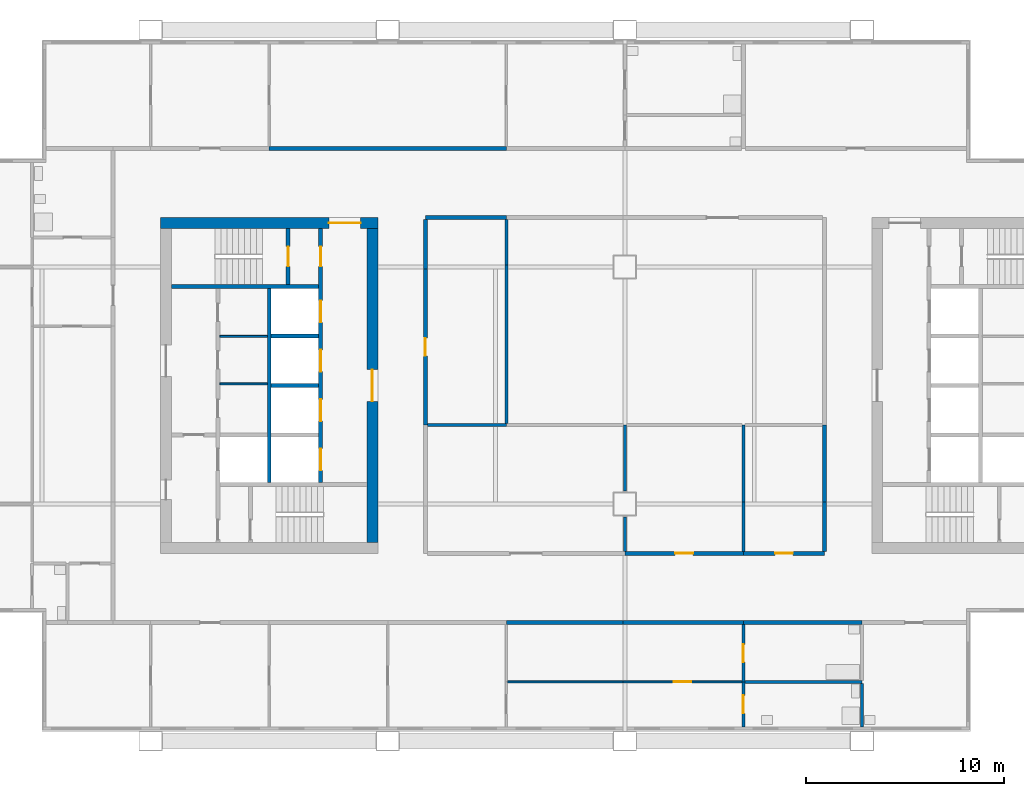
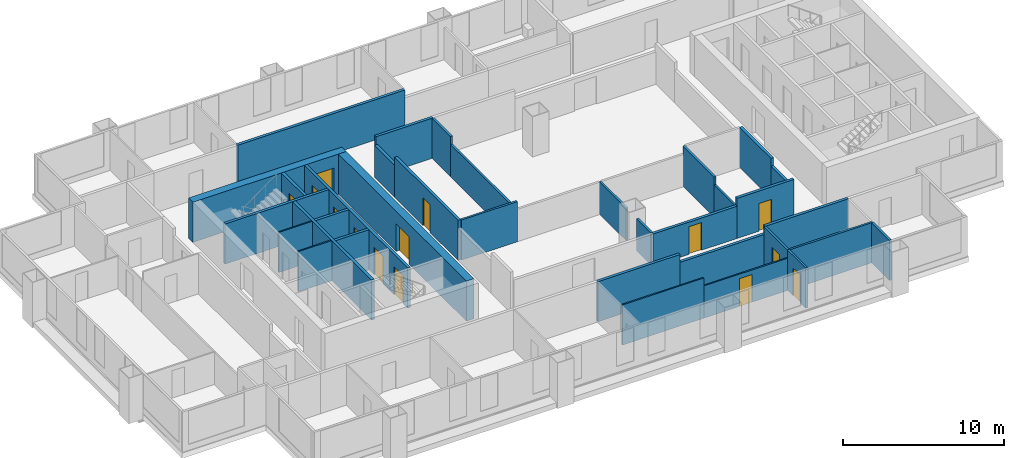
# One storey, part 4 of 9: 34 walls, 14 doors, 14 openings.
"""IFC4 building model written with IfcOpenShell, lengths in metres."""

from ifc_helpers import new_model, si_unit, direction, frame, frame_2d, origin, place, context, subcontext, project, spatial, rectangle, extrude, material, layer, layer_set, type_object, element, fill, save


model = new_model("IFC4")

# Units and contexts
model_context = context("Model", 3, precision=1e-05, world=origin(), true_north=direction((0.0, 1.0)))
body_context = subcontext(model_context, "Body", "Model", "MODEL_VIEW")
ifc_project = project(units=[si_unit("LENGTHUNIT", "METRE"), si_unit("AREAUNIT", "SQUARE_METRE"), si_unit("VOLUMEUNIT", "CUBIC_METRE"), si_unit("PLANEANGLEUNIT", "RADIAN"), si_unit("MASSUNIT", "GRAM", prefix="KILO")], contexts=[model_context])

# Site, building, storey
site_placement = place(None, origin())
site = spatial("IfcSite", under=ifc_project, at=site_placement, CompositionType="ELEMENT")
building_placement = place(site_placement, origin())
building = spatial("IfcBuilding", under=site, at=building_placement, Name="Kitamizu Gate Tower and Museum", CompositionType="ELEMENT")
storey_placement = place(building_placement, frame((0.0, 0.0, 196.199951171875)))
storey = spatial("IfcBuildingStorey", under=building, at=storey_placement, Name="L52", CompositionType="ELEMENT", Elevation=196.199951171875)

# Wall, opening, door
ifc_material_1 = material(Name="Concrete Fc42", Category="concrete")
ifc_layer_1 = layer(ifc_material_1, 0.550048828125)
ifc_layer_set_1 = layer_set([ifc_layer_1], Name="Concrete Fc42")
wall_type_1 = type_object("IfcWallType", Name="Core wall 550", PredefinedType="SHEAR", material=ifc_layer_set_1)
wall_1_placement = place(storey_placement, frame((12.5, 38.22509765625, 0.0), z_axis=(0.0, 0.0, 1.0), x_axis=(1.0, 0.0, 0.0)))
wall_1 = element("IfcWall", 1, at=wall_1_placement, inside=storey, type_object=wall_type_1, Name="Core wall WN", PredefinedType="SHEAR", context=body_context, shape_type="SweptSolid", body=[
    extrude(rectangle(XDim=11.0, YDim=0.550048828125, at=frame_2d((5.5, 0.0))), origin(), (0.0, 0.0, 1.0), 3.050048828125),
])
opening_1_placement = place(wall_1_placement, frame((8.52490234375, 0.0, 0.0)))
opening_1 = element("IfcOpeningElement", 2, at=opening_1_placement, cuts=wall_1, Name="Opening L52-037", PredefinedType="OPENING", context=body_context, shape_type="SweptSolid", body=[
    extrude(rectangle(XDim=1.60009765625, YDim=2.10009765625, at=frame_2d((0.800048828125, 1.050048828125))), frame((0.0, 0.28515625, 0.0), z_axis=(0.0, -1.0, 0.0), x_axis=(1.0, 0.0, 0.0)), (0.0, 0.0, 1.0), 0.570068359375),
])
ifc_material_2 = material(Name="Timber door set", Category="wood")
door_type_1 = type_object("IfcDoorType", Name="Entrance door 1600", OperationType="DOUBLE_DOOR_SINGLE_SWING", PredefinedType="DOOR", material=ifc_material_2)
door_1_placement = place(opening_1_placement, origin())
door_1 = element("IfcDoor", 3, at=door_1_placement, inside=storey, type_object=door_type_1, Name="Lobby door L52-037", OperationType="DOUBLE_DOOR_SINGLE_SWING", OverallHeight=2.10009765625, OverallWidth=1.60009765625, PredefinedType="DOOR", context=body_context, shape_type="SweptSolid", body=[
    extrude(rectangle(XDim=1.60009765625, YDim=2.10009765625, at=frame_2d((0.800048828125, 1.050048828125))), frame((0.0, 0.02490234375, 0.0), z_axis=(0.0, -1.0, 0.0), x_axis=(1.0, 0.0, 0.0)), (0.0, 0.0, 1.0), 0.050048828125),
])
fill(opening_1, door_1)

wall_2_placement = place(storey_placement, frame((23.22509765625, 22.050048828125, 0.0), z_axis=(0.0, 0.0, 1.0), x_axis=(0.0, 1.0, 0.0)))
wall_2 = element("IfcWall", 4, at=wall_2_placement, inside=storey, type_object=wall_type_1, Name="Core wall WARC", PredefinedType="SHEAR", context=body_context, shape_type="SweptSolid", body=[
    extrude(rectangle(XDim=15.89990234375, YDim=0.550048828125, at=frame_2d((7.949951171875, 0.0))), origin(), (0.0, 0.0, 1.0), 3.050048828125),
])
opening_2_placement = place(wall_2_placement, frame((7.14990234375, 0.0, 0.0)))
opening_2 = element("IfcOpeningElement", 5, at=opening_2_placement, cuts=wall_2, Name="Opening L52-038", PredefinedType="OPENING", context=body_context, shape_type="SweptSolid", body=[
    extrude(rectangle(XDim=1.60009765625, YDim=2.10009765625, at=frame_2d((0.800048828125, 1.050048828125))), frame((0.0, 0.28515625, 0.0), z_axis=(0.0, -1.0, 0.0), x_axis=(1.0, 0.0, 0.0)), (0.0, 0.0, 1.0), 0.570068359375),
])
door_2_placement = place(opening_2_placement, origin())
door_2 = element("IfcDoor", 6, at=door_2_placement, inside=storey, type_object=door_type_1, Name="Lobby door L52-038", OperationType="DOUBLE_DOOR_SINGLE_SWING", OverallHeight=2.10009765625, OverallWidth=1.60009765625, PredefinedType="DOOR", context=body_context, shape_type="SweptSolid", body=[
    extrude(rectangle(XDim=1.60009765625, YDim=2.10009765625, at=frame_2d((0.800048828125, 1.050048828125))), frame((0.0, 0.02490234375, 0.0), z_axis=(0.0, -1.0, 0.0), x_axis=(1.0, 0.0, 0.0)), (0.0, 0.0, 1.0), 0.050048828125),
])
fill(opening_2, door_2)

# Walls
ifc_material_3 = material(Name="Gypsum board on galvanised stud")
ifc_layer_2 = layer(ifc_material_3, 0.10009765625)
ifc_layer_set_2 = layer_set([ifc_layer_2], Name="Gypsum board on galvanised stud")
wall_type_2 = type_object("IfcWallType", Name="Partition 100", PredefinedType="PARTITIONING", material=ifc_layer_set_2)
for number, where, z_axis, x_axis, name in (
    (7, (15.5, 30.08203125, 0.0), (0.0, 0.0, 1.0), (1.0, 0.0, 0.0), "Partition WPF1"),
    (8, (15.5, 32.490966796875, 0.0), (0.0, 0.0, 1.0), (1.0, 0.0, 0.0), "Partition WPF2"),
):
    element("IfcWall", number, at=place(storey_placement, frame(where, z_axis=z_axis, x_axis=x_axis)), inside=storey, type_object=wall_type_2, Name=name, PredefinedType="PARTITIONING", context=body_context, shape_type="SweptSolid", body=[
        extrude(rectangle(XDim=2.39990234375, YDim=0.10009765625, at=frame_2d((1.199951171875, 0.0))), origin(), (0.0, 0.0, 1.0), 3.050048828125),
    ])

# Wall, opening, door
ifc_material_4 = material(Name="Gypsum board on galvanised stud")
ifc_layer_3 = layer(ifc_material_4, 0.10009765625)
ifc_layer_set_3 = layer_set([ifc_layer_3], Name="Gypsum board on galvanised stud")
wall_type_3 = type_object("IfcWallType", Name="Partition 100 NOT RATED", PredefinedType="PARTITIONING", material=ifc_layer_set_3)
wall_3_placement = place(storey_placement, frame((41.925048828125, 15.0, 0.0), z_axis=(0.0, 0.0, 1.0), x_axis=(-1.0, 0.0, 0.0)))
wall_3 = element("IfcWall", 9, at=wall_3_placement, inside=storey, type_object=wall_type_3, Name="Partition L52-012", PredefinedType="PARTITIONING", context=body_context, shape_type="SweptSolid", body=[
    extrude(rectangle(XDim=6.025146484375, YDim=0.10009765625, at=frame_2d((3.0126953125, 0.0))), origin(), (0.0, 0.0, 1.0), 2.449951171875),
])
opening_3_placement = place(wall_3_placement, frame((2.5625, 0.0, 0.0)))
opening_3 = element("IfcOpeningElement", 10, at=opening_3_placement, cuts=wall_3, Name="Opening L52-006", PredefinedType="OPENING", context=body_context, shape_type="SweptSolid", body=[
    extrude(rectangle(XDim=0.89990234375, YDim=2.10009765625, at=frame_2d((0.449951171875, 1.050048828125))), frame((0.0, 0.06005859375, 0.0), z_axis=(0.0, -1.0, 0.0), x_axis=(1.0, 0.0, 0.0)), (0.0, 0.0, 1.0), 0.1201171875),
])
ifc_material_5 = material(Name="Timber door set", Category="wood")
door_type_2 = type_object("IfcDoorType", Name="Room door 900", OperationType="NOTDEFINED", PredefinedType="DOOR", material=ifc_material_5)
door_3_placement = place(opening_3_placement, origin())
door_3 = element("IfcDoor", 11, at=door_3_placement, inside=storey, type_object=door_type_2, Name="Door L52-006", OperationType="SINGLE_SWING_LEFT", OverallHeight=2.10009765625, OverallWidth=0.89990234375, PredefinedType="DOOR", context=body_context, shape_type="SweptSolid", body=[
    extrude(rectangle(XDim=0.89990234375, YDim=2.10009765625, at=frame_2d((0.449951171875, 1.050048828125))), frame((0.0, 0.02490234375, 0.0), z_axis=(0.0, -1.0, 0.0), x_axis=(1.0, 0.0, 0.0)), (0.0, 0.0, 1.0), 0.050048828125),
])
fill(opening_3, door_3)

# Wall
wall_4_placement = place(storey_placement, frame((35.89990234375, 15.0, 0.0), z_axis=(0.0, 0.0, 1.0), x_axis=(-1.0, 0.0, 0.0)))
element("IfcWall", 12, at=wall_4_placement, inside=storey, type_object=wall_type_3, Name="Partition L52-013", PredefinedType="PARTITIONING", context=body_context, shape_type="SweptSolid", body=[
    extrude(rectangle(XDim=5.849853515625, YDim=0.10009765625, at=frame_2d((2.9248046875, 0.0))), origin(), (0.0, 0.0, 1.0), 3.050048828125),
])

# Wall, opening, door
ifc_material_6 = material(Name="Gypsum board on galvanised stud")
ifc_layer_4 = layer(ifc_material_6, 0.14990234375)
ifc_layer_set_4 = layer_set([ifc_layer_4], Name="Gypsum board on galvanised stud")
wall_type_4 = type_object("IfcWallType", Name="Partition 150", PredefinedType="PARTITIONING", material=ifc_layer_set_4)
wall_5_placement = place(storey_placement, frame((42.0, 12.719970703125, 0.0), z_axis=(0.0, 0.0, 1.0), x_axis=(0.0, 1.0, 0.0)))
wall_5 = element("IfcWall", 13, at=wall_5_placement, inside=storey, type_object=wall_type_4, Name="Partition L52-014", PredefinedType="PARTITIONING", context=body_context, shape_type="SweptSolid", body=[
    extrude(rectangle(XDim=2.280029296875, YDim=0.14990234375, at=frame_2d((1.14013671875, 0.0))), origin(), (0.0, 0.0, 1.0), 3.050048828125),
])
opening_4_placement = place(wall_5_placement, frame((0.68994140625, 0.0, 0.0)))
opening_4 = element("IfcOpeningElement", 14, at=opening_4_placement, cuts=wall_5, Name="Opening L52-007", PredefinedType="OPENING", context=body_context, shape_type="SweptSolid", body=[
    extrude(rectangle(XDim=0.89990234375, YDim=2.10009765625, at=frame_2d((0.449951171875, 1.050048828125))), frame((0.0, 0.0849609375, 0.0), z_axis=(0.0, -1.0, 0.0), x_axis=(1.0, 0.0, 0.0)), (0.0, 0.0, 1.0), 0.169921875),
])
ifc_material_7 = material(Name="Timber door set", Category="wood")
door_type_3 = type_object("IfcDoorType", Name="Bathroom door 900", OperationType="NOTDEFINED", PredefinedType="DOOR", material=ifc_material_7)
door_4_placement = place(opening_4_placement, frame((0.89990234375, 0.0, 0.0), x_axis=(-1.0, 0.0, 0.0)))
door_4 = element("IfcDoor", 15, at=door_4_placement, inside=storey, type_object=door_type_3, Name="Bathroom door L52-007", OperationType="SINGLE_SWING_LEFT", OverallHeight=2.10009765625, OverallWidth=0.89990234375, PredefinedType="DOOR", context=body_context, shape_type="SweptSolid", body=[
    extrude(rectangle(XDim=0.89990234375, YDim=2.10009765625, at=frame_2d((0.449951171875, 1.050048828125))), frame((0.0, 0.02490234375, 0.0), z_axis=(0.0, -1.0, 0.0), x_axis=(1.0, 0.0, 0.0)), (0.0, 0.0, 1.0), 0.050048828125),
])
fill(opening_4, door_4)

wall_6_placement = place(storey_placement, frame((42.0, 15.0, 0.0), z_axis=(0.0, 0.0, 1.0), x_axis=(0.0, 1.0, 0.0)))
wall_6 = element("IfcWall", 16, at=wall_6_placement, inside=storey, type_object=wall_type_4, Name="Partition L52-015", PredefinedType="PARTITIONING", context=body_context, shape_type="SweptSolid", body=[
    extrude(rectangle(XDim=2.89990234375, YDim=0.14990234375, at=frame_2d((1.449951171875, 0.0))), origin(), (0.0, 0.0, 1.0), 3.050048828125),
])
opening_5_placement = place(wall_6_placement, frame((1.0, 0.0, 0.0)))
opening_5 = element("IfcOpeningElement", 17, at=opening_5_placement, cuts=wall_6, Name="Opening L52-008", PredefinedType="OPENING", context=body_context, shape_type="SweptSolid", body=[
    extrude(rectangle(XDim=0.89990234375, YDim=2.10009765625, at=frame_2d((0.449951171875, 1.050048828125))), frame((0.0, 0.0849609375, 0.0), z_axis=(0.0, -1.0, 0.0), x_axis=(1.0, 0.0, 0.0)), (0.0, 0.0, 1.0), 0.169921875),
])
door_5_placement = place(opening_5_placement, frame((0.89990234375, 0.0, 0.0), x_axis=(-1.0, 0.0, 0.0)))
door_5 = element("IfcDoor", 18, at=door_5_placement, inside=storey, type_object=door_type_3, Name="Bathroom door L52-008", OperationType="SINGLE_SWING_RIGHT", OverallHeight=2.10009765625, OverallWidth=0.89990234375, PredefinedType="DOOR", context=body_context, shape_type="SweptSolid", body=[
    extrude(rectangle(XDim=0.89990234375, YDim=2.10009765625, at=frame_2d((0.449951171875, 1.050048828125))), frame((0.0, 0.02490234375, 0.0), z_axis=(0.0, -1.0, 0.0), x_axis=(1.0, 0.0, 0.0)), (0.0, 0.0, 1.0), 0.050048828125),
])
fill(opening_5, door_5)

# Walls
wall_7_placement = place(storey_placement, frame((48.0, 15.0, 0.0), z_axis=(0.0, 0.0, 1.0), x_axis=(-1.0, 0.0, 0.0)))
element("IfcWall", 19, at=wall_7_placement, inside=storey, type_object=wall_type_4, Name="Partition L52-018", PredefinedType="PARTITIONING", context=body_context, shape_type="SweptSolid", body=[
    extrude(rectangle(XDim=5.925048828125, YDim=0.14990234375, at=frame_2d((2.96240234375, 0.0))), origin(), (0.0, 0.0, 1.0), 3.050048828125),
])
wall_8_placement = place(storey_placement, frame((48.0, 12.719970703125, 0.0), z_axis=(0.0, 0.0, 1.0), x_axis=(0.0, 1.0, 0.0)))
element("IfcWall", 20, at=wall_8_placement, inside=storey, type_object=wall_type_4, Name="Partition L52-019", PredefinedType="PARTITIONING", context=body_context, shape_type="SweptSolid", body=[
    extrude(rectangle(XDim=2.205078125, YDim=0.14990234375, at=frame_2d((1.1025390625, 0.0))), origin(), (0.0, 0.0, 1.0), 3.050048828125),
])
wall_9_placement = place(storey_placement, frame((36.0, 21.60009765625, 0.0), z_axis=(0.0, 0.0, 1.0), x_axis=(0.0, 1.0, 0.0)))
element("IfcWall", 21, at=wall_9_placement, inside=storey, type_object=wall_type_4, Name="Partition L52-071", PredefinedType="PARTITIONING", context=body_context, shape_type="SweptSolid", body=[
    extrude(rectangle(XDim=1.75, YDim=0.14990234375, at=frame_2d((0.875, 0.0))), origin(), (0.0, 0.0, 1.0), 2.449951171875),
])
wall_10_placement = place(storey_placement, frame((36.0, 24.64990234375, 0.0), z_axis=(0.0, 0.0, 1.0), x_axis=(0.0, 1.0, 0.0)))
element("IfcWall", 22, at=wall_10_placement, inside=storey, type_object=wall_type_4, Name="Partition L52-072", PredefinedType="PARTITIONING", context=body_context, shape_type="SweptSolid", body=[
    extrude(rectangle(XDim=3.35009765625, YDim=0.14990234375, at=frame_2d((1.675048828125, 0.0))), origin(), (0.0, 0.0, 1.0), 2.449951171875),
])
wall_11_placement = place(storey_placement, frame((30.0, 28.0, 0.0), z_axis=(0.0, 0.0, 1.0), x_axis=(-1.0, 0.0, 0.0)))
element("IfcWall", 23, at=wall_11_placement, inside=storey, type_object=wall_type_4, Name="Partition L52-073", PredefinedType="PARTITIONING", context=body_context, shape_type="SweptSolid", body=[
    extrude(rectangle(XDim=4.0, YDim=0.14990234375, at=frame_2d((2.0, 0.0))), origin(), (0.0, 0.0, 1.0), 3.050048828125),
])
wall_12_placement = place(storey_placement, frame((42.0, 21.60009765625, 0.0), z_axis=(0.0, 0.0, 1.0), x_axis=(0.0, 1.0, 0.0)))
element("IfcWall", 24, at=wall_12_placement, inside=storey, type_object=wall_type_4, Name="Partition L52-075", PredefinedType="PARTITIONING", context=body_context, shape_type="SweptSolid", body=[
    extrude(rectangle(XDim=2.5, YDim=0.14990234375, at=frame_2d((1.25, 0.0))), origin(), (0.0, 0.0, 1.0), 2.449951171875),
])
wall_13_placement = place(storey_placement, frame((42.0, 24.10009765625, 0.0), z_axis=(0.0, 0.0, 1.0), x_axis=(0.0, 1.0, 0.0)))
element("IfcWall", 25, at=wall_13_placement, inside=storey, type_object=wall_type_4, Name="Partition L52-076", PredefinedType="PARTITIONING", context=body_context, shape_type="SweptSolid", body=[
    extrude(rectangle(XDim=3.89990234375, YDim=0.14990234375, at=frame_2d((1.949951171875, 0.0))), origin(), (0.0, 0.0, 1.0), 3.050048828125),
])
wall_14_placement = place(storey_placement, frame((30.0, 28.074951171875, 0.0), z_axis=(0.0, 0.0, 1.0), x_axis=(0.0, 1.0, 0.0)))
element("IfcWall", 26, at=wall_14_placement, inside=storey, type_object=wall_type_4, Name="Partition L52-079", PredefinedType="PARTITIONING", context=body_context, shape_type="SweptSolid", body=[
    extrude(rectangle(XDim=8.025146484375, YDim=0.14990234375, at=frame_2d((4.0126953125, 0.0))), origin(), (0.0, 0.0, 1.0), 2.449951171875),
])
wall_15_placement = place(storey_placement, frame((30.0, 36.10009765625, 0.0), z_axis=(0.0, 0.0, 1.0), x_axis=(0.0, 1.0, 0.0)))
element("IfcWall", 27, at=wall_15_placement, inside=storey, type_object=wall_type_4, Name="Partition L52-080", PredefinedType="PARTITIONING", context=body_context, shape_type="SweptSolid", body=[
    extrude(rectangle(XDim=2.2998046875, YDim=0.14990234375, at=frame_2d((1.14990234375, 0.0))), origin(), (0.0, 0.0, 1.0), 3.050048828125),
])
ifc_material_8 = material(Name="Gypsum board on galvanised stud")
ifc_layer_5 = layer(ifc_material_8, 0.199951171875)
ifc_layer_set_5 = layer_set([ifc_layer_5], Name="Gypsum board on galvanised stud")
wall_type_5 = type_object("IfcWallType", Name="Partition 200", PredefinedType="PARTITIONING", material=ifc_layer_set_5)
wall_16_placement = place(storey_placement, frame((42.0, 18.0, 0.0), z_axis=(0.0, 0.0, 1.0), x_axis=(-1.0, 0.0, 0.0)))
element("IfcWall", 28, at=wall_16_placement, inside=storey, type_object=wall_type_5, Name="Partition L52-016", PredefinedType="PARTITIONING", context=body_context, shape_type="SweptSolid", body=[
    extrude(rectangle(XDim=6.10009765625, YDim=0.199951171875, at=frame_2d((3.050048828125, 0.0))), origin(), (0.0, 0.0, 1.0), 2.449951171875),
])
wall_17_placement = place(storey_placement, frame((35.89990234375, 18.0, 0.0), z_axis=(0.0, 0.0, 1.0), x_axis=(-1.0, 0.0, 0.0)))
element("IfcWall", 29, at=wall_17_placement, inside=storey, type_object=wall_type_5, Name="Partition L52-017", PredefinedType="PARTITIONING", context=body_context, shape_type="SweptSolid", body=[
    extrude(rectangle(XDim=5.89990234375, YDim=0.199951171875, at=frame_2d((2.949951171875, 0.0))), origin(), (0.0, 0.0, 1.0), 3.050048828125),
])
wall_18_placement = place(storey_placement, frame((48.0, 18.0, 0.0), z_axis=(0.0, 0.0, 1.0), x_axis=(-1.0, 0.0, 0.0)))
element("IfcWall", 30, at=wall_18_placement, inside=storey, type_object=wall_type_5, Name="Partition L52-021", PredefinedType="PARTITIONING", context=body_context, shape_type="SweptSolid", body=[
    extrude(rectangle(XDim=6.0, YDim=0.199951171875, at=frame_2d((3.0, 0.0))), origin(), (0.0, 0.0, 1.0), 3.050048828125),
])
wall_19_placement = place(storey_placement, frame((18.0, 42.0, 0.0), z_axis=(0.0, 0.0, 1.0), x_axis=(1.0, 0.0, 0.0)))
element("IfcWall", 31, at=wall_19_placement, inside=storey, type_object=wall_type_5, Name="Partition L52-029", PredefinedType="PARTITIONING", context=body_context, shape_type="SweptSolid", body=[
    extrude(rectangle(XDim=12.0, YDim=0.199951171875, at=frame_2d((6.0, 0.0))), origin(), (0.0, 0.0, 1.0), 3.050048828125),
])

# Wall, opening, door
wall_20_placement = place(storey_placement, frame((36.0, 21.5, 0.0), z_axis=(0.0, 0.0, 1.0), x_axis=(1.0, 0.0, 0.0)))
wall_20 = element("IfcWall", 32, at=wall_20_placement, inside=storey, type_object=wall_type_5, Name="Partition L52-060", PredefinedType="PARTITIONING", context=body_context, shape_type="SweptSolid", body=[
    extrude(rectangle(XDim=6.0, YDim=0.199951171875, at=frame_2d((3.0, 0.0))), origin(), (0.0, 0.0, 1.0), 2.449951171875),
])
opening_6_placement = place(wall_20_placement, frame((2.550048828125, 0.0, 0.0)))
opening_6 = element("IfcOpeningElement", 33, at=opening_6_placement, cuts=wall_20, Name="Opening L52-026", PredefinedType="OPENING", context=body_context, shape_type="SweptSolid", body=[
    extrude(rectangle(XDim=0.89990234375, YDim=2.10009765625, at=frame_2d((0.449951171875, 1.050048828125))), frame((0.0, 0.10986328125, 0.0), z_axis=(0.0, -1.0, 0.0), x_axis=(1.0, 0.0, 0.0)), (0.0, 0.0, 1.0), 0.219970703125),
])
door_6_placement = place(opening_6_placement, origin())
door_6 = element("IfcDoor", 34, at=door_6_placement, inside=storey, type_object=door_type_2, Name="Door L52-026", OperationType="SINGLE_SWING_RIGHT", OverallHeight=2.10009765625, OverallWidth=0.89990234375, PredefinedType="DOOR", context=body_context, shape_type="SweptSolid", body=[
    extrude(rectangle(XDim=0.89990234375, YDim=2.10009765625, at=frame_2d((0.449951171875, 1.050048828125))), frame((0.0, 0.02490234375, 0.0), z_axis=(0.0, -1.0, 0.0), x_axis=(1.0, 0.0, 0.0)), (0.0, 0.0, 1.0), 0.050048828125),
])
fill(opening_6, door_6)

wall_21_placement = place(storey_placement, frame((42.0, 21.5, 0.0), z_axis=(0.0, 0.0, 1.0), x_axis=(1.0, 0.0, 0.0)))
wall_21 = element("IfcWall", 35, at=wall_21_placement, inside=storey, type_object=wall_type_5, Name="Partition L52-061", PredefinedType="PARTITIONING", context=body_context, shape_type="SweptSolid", body=[
    extrude(rectangle(XDim=4.10009765625, YDim=0.199951171875, at=frame_2d((2.050048828125, 0.0))), origin(), (0.0, 0.0, 1.0), 3.050048828125),
])
opening_7_placement = place(wall_21_placement, frame((1.60009765625, 0.0, 0.0)))
opening_7 = element("IfcOpeningElement", 36, at=opening_7_placement, cuts=wall_21, Name="Opening L52-027", PredefinedType="OPENING", context=body_context, shape_type="SweptSolid", body=[
    extrude(rectangle(XDim=0.89990234375, YDim=2.10009765625, at=frame_2d((0.449951171875, 1.050048828125))), frame((0.0, 0.10986328125, 0.0), z_axis=(0.0, -1.0, 0.0), x_axis=(1.0, 0.0, 0.0)), (0.0, 0.0, 1.0), 0.219970703125),
])
door_7_placement = place(opening_7_placement, origin())
door_7 = element("IfcDoor", 37, at=door_7_placement, inside=storey, type_object=door_type_2, Name="Door L52-027", OperationType="SINGLE_SWING_LEFT", OverallHeight=2.10009765625, OverallWidth=0.89990234375, PredefinedType="DOOR", context=body_context, shape_type="SweptSolid", body=[
    extrude(rectangle(XDim=0.89990234375, YDim=2.10009765625, at=frame_2d((0.449951171875, 1.050048828125))), frame((0.0, 0.02490234375, 0.0), z_axis=(0.0, -1.0, 0.0), x_axis=(1.0, 0.0, 0.0)), (0.0, 0.0, 1.0), 0.050048828125),
])
fill(opening_7, door_7)

# Walls
wall_22_placement = place(storey_placement, frame((46.10009765625, 21.60009765625, 0.0), z_axis=(0.0, 0.0, 1.0), x_axis=(0.0, 1.0, 0.0)))
element("IfcWall", 38, at=wall_22_placement, inside=storey, type_object=wall_type_5, Name="Partition L52-062", PredefinedType="PARTITIONING", context=body_context, shape_type="SweptSolid", body=[
    extrude(rectangle(XDim=2.5, YDim=0.199951171875, at=frame_2d((1.25, 0.0))), origin(), (0.0, 0.0, 1.0), 2.449951171875),
])
wall_23_placement = place(storey_placement, frame((46.10009765625, 24.10009765625, 0.0), z_axis=(0.0, 0.0, 1.0), x_axis=(0.0, 1.0, 0.0)))
element("IfcWall", 39, at=wall_23_placement, inside=storey, type_object=wall_type_5, Name="Partition L52-063", PredefinedType="PARTITIONING", context=body_context, shape_type="SweptSolid", body=[
    extrude(rectangle(XDim=3.89990234375, YDim=0.199951171875, at=frame_2d((1.949951171875, 0.0))), origin(), (0.0, 0.0, 1.0), 3.050048828125),
])
wall_24_placement = place(storey_placement, frame((30.0, 38.5, 0.0), z_axis=(0.0, 0.0, 1.0), x_axis=(-1.0, 0.0, 0.0)))
element("IfcWall", 40, at=wall_24_placement, inside=storey, type_object=wall_type_5, Name="Partition L52-064", PredefinedType="PARTITIONING", context=body_context, shape_type="SweptSolid", body=[
    extrude(rectangle(XDim=4.10009765625, YDim=0.199951171875, at=frame_2d((2.050048828125, 0.0))), origin(), (0.0, 0.0, 1.0), 3.050048828125),
])
wall_25_placement = place(storey_placement, frame((25.89990234375, 38.39990234375, 0.0), z_axis=(0.0, 0.0, 1.0), x_axis=(0.0, -1.0, 0.0)))
element("IfcWall", 41, at=wall_25_placement, inside=storey, type_object=wall_type_5, Name="Partition L52-065", PredefinedType="PARTITIONING", context=body_context, shape_type="SweptSolid", body=[
    extrude(rectangle(XDim=2.5, YDim=0.199951171875, at=frame_2d((1.25, 0.0))), origin(), (0.0, 0.0, 1.0), 2.449951171875),
])

# Wall, opening, door
wall_26_placement = place(storey_placement, frame((25.89990234375, 35.89990234375, 0.0), z_axis=(0.0, 0.0, 1.0), x_axis=(0.0, -1.0, 0.0)))
wall_26 = element("IfcWall", 42, at=wall_26_placement, inside=storey, type_object=wall_type_5, Name="Partition L52-066", PredefinedType="PARTITIONING", context=body_context, shape_type="SweptSolid", body=[
    extrude(rectangle(XDim=7.89990234375, YDim=0.199951171875, at=frame_2d((3.949951171875, 0.0))), origin(), (0.0, 0.0, 1.0), 3.050048828125),
])
opening_8_placement = place(wall_26_placement, frame((3.5, 0.0, 0.0)))
opening_8 = element("IfcOpeningElement", 43, at=opening_8_placement, cuts=wall_26, Name="Opening L52-028", PredefinedType="OPENING", context=body_context, shape_type="SweptSolid", body=[
    extrude(rectangle(XDim=0.89990234375, YDim=2.10009765625, at=frame_2d((0.449951171875, 1.050048828125))), frame((0.0, 0.10986328125, 0.0), z_axis=(0.0, -1.0, 0.0), x_axis=(1.0, 0.0, 0.0)), (0.0, 0.0, 1.0), 0.219970703125),
])
door_8_placement = place(opening_8_placement, origin())
door_8 = element("IfcDoor", 44, at=door_8_placement, inside=storey, type_object=door_type_2, Name="Door L52-028", OperationType="SINGLE_SWING_RIGHT", OverallHeight=2.10009765625, OverallWidth=0.89990234375, PredefinedType="DOOR", context=body_context, shape_type="SweptSolid", body=[
    extrude(rectangle(XDim=0.89990234375, YDim=2.10009765625, at=frame_2d((0.449951171875, 1.050048828125))), frame((0.0, 0.02490234375, 0.0), z_axis=(0.0, -1.0, 0.0), x_axis=(1.0, 0.0, 0.0)), (0.0, 0.0, 1.0), 0.050048828125),
])
fill(opening_8, door_8)

# Wall, openings, doors
ifc_material_9 = material(Name="Concrete Fc42", Category="concrete")
ifc_layer_6 = layer(ifc_material_9, 0.199951171875)
ifc_layer_set_6 = layer_set([ifc_layer_6], Name="Concrete Fc42")
wall_type_6 = type_object("IfcWallType", Name="Shaft wall 200", PredefinedType="SOLIDWALL", material=ifc_layer_set_6)
wall_27_placement = place(storey_placement, frame((20.60009765625, 25.10009765625, 0.0), z_axis=(0.0, 0.0, 1.0), x_axis=(0.0, 1.0, 0.0)))
wall_27 = element("IfcWall", 45, at=wall_27_placement, inside=storey, type_object=wall_type_6, Name="Shaft wall WEAST", PredefinedType="SOLIDWALL", context=body_context, shape_type="SweptSolid", body=[
    extrude(rectangle(XDim=12.849853515625, YDim=0.199951171875, at=frame_2d((6.4248046875, 0.0))), origin(), (0.0, 0.0, 1.0), 3.050048828125),
])
opening_9_placement = place(wall_27_placement, frame((0.60009765625, 0.0, 0.0)))
opening_9 = element("IfcOpeningElement", 46, at=opening_9_placement, cuts=wall_27, Name="Opening LD", PredefinedType="OPENING", context=body_context, shape_type="SweptSolid", body=[
    extrude(rectangle(XDim=1.10009765625, YDim=2.10009765625, at=frame_2d((0.550048828125, 1.050048828125))), frame((0.0, 0.10986328125, 0.0), z_axis=(0.0, -1.0, 0.0), x_axis=(1.0, 0.0, 0.0)), (0.0, 0.0, 1.0), 0.219970703125),
])
opening_10_placement = place(wall_27_placement, frame((3.10009765625, 0.0, 0.0)))
opening_10 = element("IfcOpeningElement", 47, at=opening_10_placement, cuts=wall_27, Name="Opening LD", PredefinedType="OPENING", context=body_context, shape_type="SweptSolid", body=[
    extrude(rectangle(XDim=1.10009765625, YDim=2.10009765625, at=frame_2d((0.550048828125, 1.050048828125))), frame((0.0, 0.10986328125, 0.0), z_axis=(0.0, -1.0, 0.0), x_axis=(1.0, 0.0, 0.0)), (0.0, 0.0, 1.0), 0.219970703125),
])
opening_11_placement = place(wall_27_placement, frame((5.60009765625, 0.0, 0.0)))
opening_11 = element("IfcOpeningElement", 48, at=opening_11_placement, cuts=wall_27, Name="Opening LD", PredefinedType="OPENING", context=body_context, shape_type="SweptSolid", body=[
    extrude(rectangle(XDim=1.10009765625, YDim=2.10009765625, at=frame_2d((0.550048828125, 1.050048828125))), frame((0.0, 0.10986328125, 0.0), z_axis=(0.0, -1.0, 0.0), x_axis=(1.0, 0.0, 0.0)), (0.0, 0.0, 1.0), 0.219970703125),
])
opening_12_placement = place(wall_27_placement, frame((8.10009765625, 0.0, 0.0)))
opening_12 = element("IfcOpeningElement", 49, at=opening_12_placement, cuts=wall_27, Name="Opening LD", PredefinedType="OPENING", context=body_context, shape_type="SweptSolid", body=[
    extrude(rectangle(XDim=1.10009765625, YDim=2.10009765625, at=frame_2d((0.550048828125, 1.050048828125))), frame((0.0, 0.10986328125, 0.0), z_axis=(0.0, -1.0, 0.0), x_axis=(1.0, 0.0, 0.0)), (0.0, 0.0, 1.0), 0.219970703125),
])
opening_13_placement = place(wall_27_placement, frame((10.925048828125, 0.0, 0.0)))
opening_13 = element("IfcOpeningElement", 50, at=opening_13_placement, cuts=wall_27, Name="Opening L52-032", PredefinedType="OPENING", context=body_context, shape_type="SweptSolid", body=[
    extrude(rectangle(XDim=1.0, YDim=2.10009765625, at=frame_2d((0.5, 1.050048828125))), frame((0.0, 0.10986328125, 0.0), z_axis=(0.0, -1.0, 0.0), x_axis=(1.0, 0.0, 0.0)), (0.0, 0.0, 1.0), 0.219970703125),
])
ifc_material_10 = material(Name="Hollow metal door set")
door_type_4 = type_object("IfcDoorType", Name="Fire door 1000", OperationType="NOTDEFINED", PredefinedType="DOOR", material=ifc_material_10)
door_9_placement = place(opening_13_placement, origin())
door_9 = element("IfcDoor", 51, at=door_9_placement, inside=storey, type_object=door_type_4, Name="Stair lobby door L52-032", OperationType="SINGLE_SWING_LEFT", OverallHeight=2.10009765625, OverallWidth=1.0, PredefinedType="DOOR", context=body_context, shape_type="SweptSolid", body=[
    extrude(rectangle(XDim=1.0, YDim=2.10009765625, at=frame_2d((0.5, 1.050048828125))), frame((0.0, 0.02490234375, 0.0), z_axis=(0.0, -1.0, 0.0), x_axis=(1.0, 0.0, 0.0)), (0.0, 0.0, 1.0), 0.050048828125),
])
fill(opening_13, door_9)
ifc_material_11 = material(Name="Hollow metal door set")
door_type_5 = type_object("IfcDoorType", Name="Landing door 1100", OperationType="SLIDING_TO_LEFT", PredefinedType="DOOR", material=ifc_material_11)
door_10_placement = place(opening_9_placement, origin())
door_10 = element("IfcDoor", 52, at=door_10_placement, inside=storey, type_object=door_type_5, Name="Landing door WSV1", OperationType="SLIDING_TO_LEFT", OverallHeight=2.10009765625, OverallWidth=1.10009765625, PredefinedType="DOOR", context=body_context, shape_type="SweptSolid", body=[
    extrude(rectangle(XDim=1.10009765625, YDim=2.10009765625, at=frame_2d((0.550048828125, 1.050048828125))), frame((0.0, 0.02490234375, 0.0), z_axis=(0.0, -1.0, 0.0), x_axis=(1.0, 0.0, 0.0)), (0.0, 0.0, 1.0), 0.050048828125),
])
fill(opening_9, door_10)
door_11_placement = place(opening_10_placement, origin())
door_11 = element("IfcDoor", 53, at=door_11_placement, inside=storey, type_object=door_type_5, Name="Landing door WH1", OperationType="SLIDING_TO_LEFT", OverallHeight=2.10009765625, OverallWidth=1.10009765625, PredefinedType="DOOR", context=body_context, shape_type="SweptSolid", body=[
    extrude(rectangle(XDim=1.10009765625, YDim=2.10009765625, at=frame_2d((0.550048828125, 1.050048828125))), frame((0.0, 0.02490234375, 0.0), z_axis=(0.0, -1.0, 0.0), x_axis=(1.0, 0.0, 0.0)), (0.0, 0.0, 1.0), 0.050048828125),
])
fill(opening_10, door_11)
door_12_placement = place(opening_11_placement, origin())
door_12 = element("IfcDoor", 54, at=door_12_placement, inside=storey, type_object=door_type_5, Name="Landing door WH2", OperationType="SLIDING_TO_LEFT", OverallHeight=2.10009765625, OverallWidth=1.10009765625, PredefinedType="DOOR", context=body_context, shape_type="SweptSolid", body=[
    extrude(rectangle(XDim=1.10009765625, YDim=2.10009765625, at=frame_2d((0.550048828125, 1.050048828125))), frame((0.0, 0.02490234375, 0.0), z_axis=(0.0, -1.0, 0.0), x_axis=(1.0, 0.0, 0.0)), (0.0, 0.0, 1.0), 0.050048828125),
])
fill(opening_11, door_12)
door_13_placement = place(opening_12_placement, origin())
door_13 = element("IfcDoor", 55, at=door_13_placement, inside=storey, type_object=door_type_5, Name="Landing door WH3", OperationType="SLIDING_TO_LEFT", OverallHeight=2.10009765625, OverallWidth=1.10009765625, PredefinedType="DOOR", context=body_context, shape_type="SweptSolid", body=[
    extrude(rectangle(XDim=1.10009765625, YDim=2.10009765625, at=frame_2d((0.550048828125, 1.050048828125))), frame((0.0, 0.02490234375, 0.0), z_axis=(0.0, -1.0, 0.0), x_axis=(1.0, 0.0, 0.0)), (0.0, 0.0, 1.0), 0.050048828125),
])
fill(opening_12, door_13)

# Walls
wall_28_placement = place(storey_placement, frame((18.0, 25.10009765625, 0.0), z_axis=(0.0, 0.0, 1.0), x_axis=(0.0, 1.0, 0.0)))
element("IfcWall", 56, at=wall_28_placement, inside=storey, type_object=wall_type_6, Name="Shaft wall WMID", PredefinedType="SOLIDWALL", context=body_context, shape_type="SweptSolid", body=[
    extrude(rectangle(XDim=9.7998046875, YDim=0.199951171875, at=frame_2d((4.89990234375, 0.0))), origin(), (0.0, 0.0, 1.0), 3.050048828125),
])
wall_29_placement = place(storey_placement, frame((13.050048828125, 35.0, 0.0), z_axis=(0.0, 0.0, 1.0), x_axis=(1.0, 0.0, 0.0)))
element("IfcWall", 57, at=wall_29_placement, inside=storey, type_object=wall_type_6, Name="Shaft wall WNB", PredefinedType="SOLIDWALL", context=body_context, shape_type="SweptSolid", body=[
    extrude(rectangle(XDim=7.449951171875, YDim=0.199951171875, at=frame_2d((3.72509765625, 0.0))), origin(), (0.0, 0.0, 1.0), 3.050048828125),
])

# Wall, opening, door
wall_30_placement = place(storey_placement, frame((18.949951171875, 35.10009765625, 0.0), z_axis=(0.0, 0.0, 1.0), x_axis=(0.0, 1.0, 0.0)))
wall_30 = element("IfcWall", 58, at=wall_30_placement, inside=storey, type_object=wall_type_6, Name="Shaft wall WNZ", PredefinedType="SOLIDWALL", context=body_context, shape_type="SweptSolid", body=[
    extrude(rectangle(XDim=2.849853515625, YDim=0.199951171875, at=frame_2d((1.4248046875, 0.0))), origin(), (0.0, 0.0, 1.0), 3.050048828125),
])
opening_14_placement = place(wall_30_placement, frame((0.925048828125, 0.0, 0.0)))
opening_14 = element("IfcOpeningElement", 59, at=opening_14_placement, cuts=wall_30, Name="Opening L52-033", PredefinedType="OPENING", context=body_context, shape_type="SweptSolid", body=[
    extrude(rectangle(XDim=1.0, YDim=2.10009765625, at=frame_2d((0.5, 1.050048828125))), frame((0.0, 0.10986328125, 0.0), z_axis=(0.0, -1.0, 0.0), x_axis=(1.0, 0.0, 0.0)), (0.0, 0.0, 1.0), 0.219970703125),
])
door_14_placement = place(opening_14_placement, origin())
door_14 = element("IfcDoor", 60, at=door_14_placement, inside=storey, type_object=door_type_4, Name="Stair door L52-033", OperationType="SINGLE_SWING_RIGHT", OverallHeight=2.10009765625, OverallWidth=1.0, PredefinedType="DOOR", context=body_context, shape_type="SweptSolid", body=[
    extrude(rectangle(XDim=1.0, YDim=2.10009765625, at=frame_2d((0.5, 1.050048828125))), frame((0.0, 0.02490234375, 0.0), z_axis=(0.0, -1.0, 0.0), x_axis=(1.0, 0.0, 0.0)), (0.0, 0.0, 1.0), 0.050048828125),
])
fill(opening_14, door_14)

# Walls
for number, where, z_axis, x_axis, name in (
    (61, (18.10009765625, 30.0, 0.0), (0.0, 0.0, 1.0), (1.0, 0.0, 0.0), "Shaft wall WDVE1"),
    (62, (18.10009765625, 32.5, 0.0), (0.0, 0.0, 1.0), (1.0, 0.0, 0.0), "Shaft wall WDVE2"),
):
    element("IfcWall", number, at=place(storey_placement, frame(where, z_axis=z_axis, x_axis=x_axis)), inside=storey, type_object=wall_type_6, Name=name, PredefinedType="SOLIDWALL", context=body_context, shape_type="SweptSolid", body=[
        extrude(rectangle(XDim=2.39990234375, YDim=0.199951171875, at=frame_2d((1.199951171875, 0.0))), origin(), (0.0, 0.0, 1.0), 3.050048828125),
    ])

save(model, "model.ifc")
